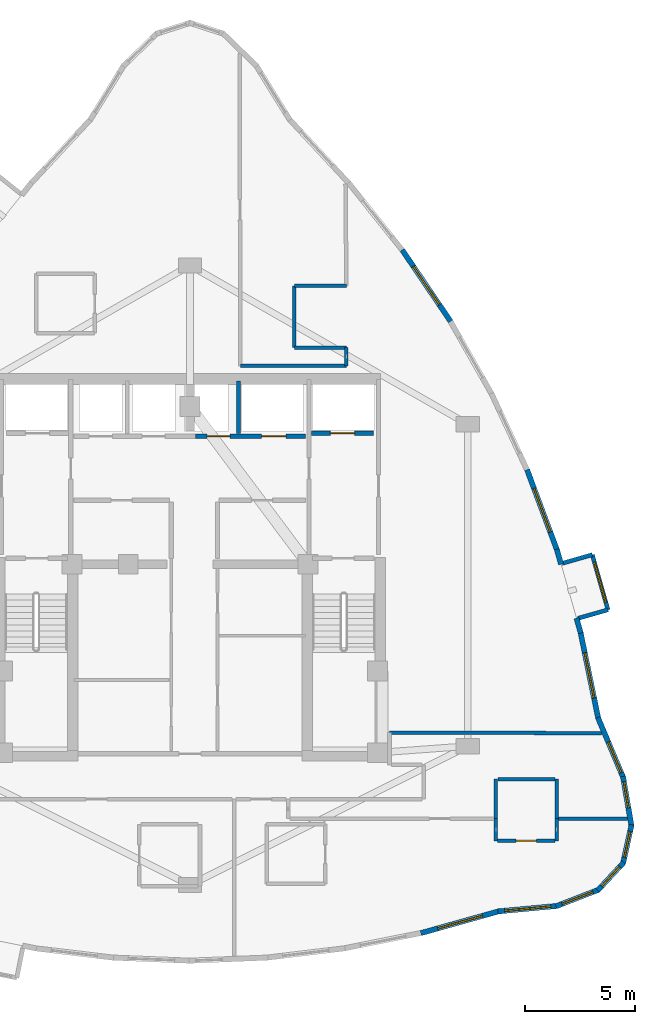
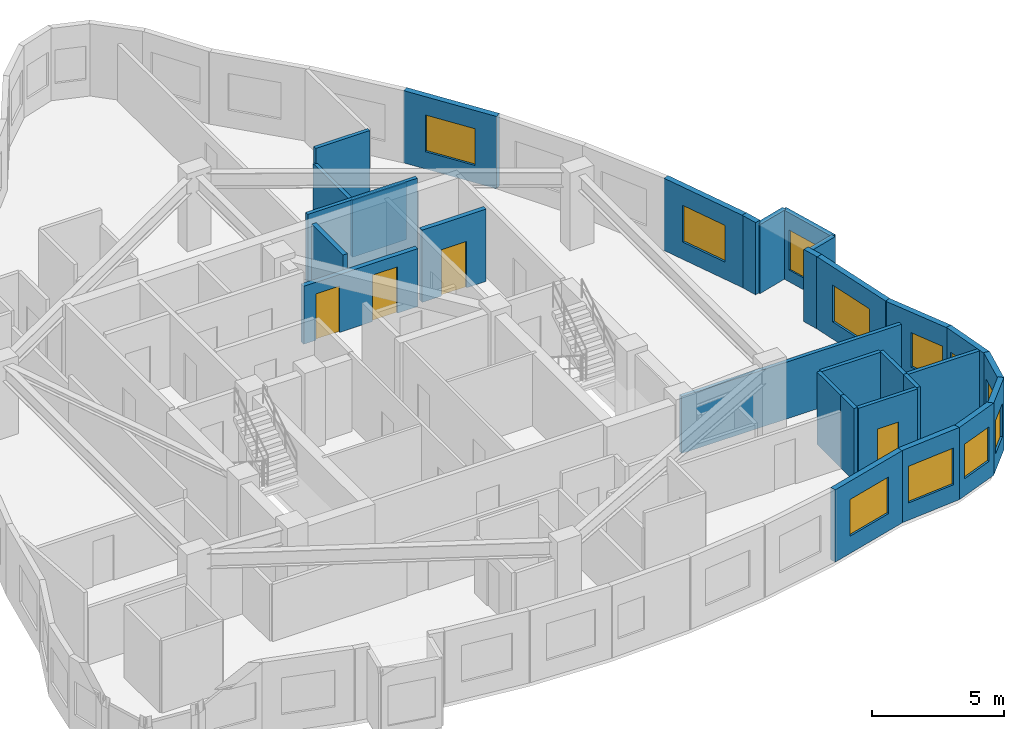
# One storey, part 10 of 12: 31 walls, 11 windows, 4 doors, 15 openings.
"""IFC4 building model written with IfcOpenShell, lengths in metres."""

from ifc_helpers import new_model, si_unit, direction, frame, frame_2d, origin, place, context, subcontext, project, spatial, rectangle, extrude, material, layer, layer_set, type_object, element, fill, save


model = new_model("IFC4")

# Units and contexts
model_context = context("Model", 3, precision=1e-05, world=origin(), true_north=direction((0.0, 1.0)))
body_context = subcontext(model_context, "Body", "Model", "MODEL_VIEW")
ifc_project = project(units=[si_unit("LENGTHUNIT", "METRE"), si_unit("AREAUNIT", "SQUARE_METRE"), si_unit("VOLUMEUNIT", "CUBIC_METRE"), si_unit("PLANEANGLEUNIT", "RADIAN"), si_unit("MASSUNIT", "GRAM", prefix="KILO")], contexts=[model_context])

# Site, building, storey
site_placement = place(None, origin())
site = spatial("IfcSite", under=ifc_project, at=site_placement, CompositionType="ELEMENT")
building_placement = place(site_placement, origin())
building = spatial("IfcBuilding", under=site, at=building_placement, Name="Miruveldt Soraemaru", CompositionType="ELEMENT")
storey_placement = place(building_placement, frame((0.0, 0.0, 219.60009765625)))
storey = spatial("IfcBuildingStorey", under=building, at=storey_placement, Name="L60", CompositionType="ELEMENT", Elevation=219.60009765625)

# Walls
ifc_material_1 = material(Name="White powder-coated aluminium EN AW-6060 T6", Category="aluminium")
ifc_layer_1 = layer(ifc_material_1, 0.18994140625, Name="White powder-coated aluminium EN AW-6060 T6", Category="aluminium")
ifc_layer_set_1 = layer_set([ifc_layer_1], Name="White powder-coated aluminium EN AW-6060 T6")
wall_type_1 = type_object("IfcWallType", Name="WALL-BAY-ALU190", PredefinedType="SOLIDWALL", material=ifc_layer_set_1)
for number, where, z_axis, x_axis, name in (
    (1, (61.593994140625, 41.59033203125, 0.0), (0.0, 0.0, 1.0), (0.961452801096, 0.274970018845, 0.0), "L60 Bay Window Side Cheek 2L"),
    (2, (62.249267578125, 44.48193359375, 0.0), (0.0, 0.0, 1.0), (-0.961452801096, -0.274970018845, 0.0), "L60 Bay Window Side Cheek 2R"),
):
    element("IfcWall", number, at=place(storey_placement, frame(where, z_axis=z_axis, x_axis=x_axis)), inside=storey, type_object=wall_type_1, Name=name, PredefinedType="SOLIDWALL", context=body_context, shape_type="SweptSolid", body=[
        extrude(rectangle(XDim=1.425048828125, YDim=0.18994140625, at=frame_2d((0.71240234375, 0.0))), origin(), (0.0, 0.0, 1.0), 3.19482421875),
    ])

# Wall, opening, window
wall_1_placement = place(storey_placement, frame((62.964111328125, 41.982177734375, 0.0), z_axis=(0.0, 0.0, 1.0), x_axis=(-0.274944358644, 0.961460139397, 0.0)))
wall_1 = element("IfcWall", 3, at=wall_1_placement, inside=storey, type_object=wall_type_1, Name="L60 Bay Window Front Frame 2", PredefinedType="SOLIDWALL", context=body_context, shape_type="SweptSolid", body=[
    extrude(rectangle(XDim=2.599853515625, YDim=0.18994140625, at=frame_2d((1.2998046875, 0.0))), origin(), (0.0, 0.0, 1.0), 3.19482421875),
])
opening_1_placement = place(wall_1_placement, frame((0.35009765625, 0.0, 0.550048828125)))
opening_1 = element("IfcOpeningElement", 4, at=opening_1_placement, cuts=wall_1, Name="Opening WN-6", PredefinedType="OPENING", context=body_context, shape_type="SweptSolid", body=[
    extrude(rectangle(XDim=1.89990234375, YDim=1.85009765625, at=frame_2d((0.949951171875, 0.925048828125))), frame((0.0, 0.10498046875, 0.0), z_axis=(0.0, -1.0, 0.0), x_axis=(1.0, 0.0, 0.0)), (0.0, 0.0, 1.0), 0.2099609375),
])
ifc_material_2 = material(Name="Triple low-e insulated glazing", Category="glass")
window_type_1 = type_object("IfcWindowType", Name="WIN-BAYW-1900x1850", PartitioningType="SINGLE_PANEL", PredefinedType="WINDOW", material=ifc_material_2)
window_1_placement = place(opening_1_placement, origin())
window_1 = element("IfcWindow", 5, at=window_1_placement, inside=storey, type_object=window_type_1, Name="L60 Projecting Bay Window 2", OverallHeight=1.85009765625, OverallWidth=1.89990234375, PartitioningType="SINGLE_PANEL", PredefinedType="WINDOW", context=body_context, shape_type="SweptSolid", body=[
    extrude(rectangle(XDim=1.89990234375, YDim=1.85009765625, at=frame_2d((0.949951171875, 0.925048828125))), frame((0.0, 0.030029296875, 0.0), z_axis=(0.0, -1.0, 0.0), x_axis=(1.0, 0.0, 0.0)), (0.0, 0.0, 1.0), 0.06005859375),
])
fill(opening_1, window_1)

ifc_material_3 = material(Name="Precast concrete C45/55 (45 MPa)", Category="concrete")
ifc_layer_2 = layer(ifc_material_3, 0.239990234375, Name="Precast concrete C45/55 (45 MPa)", Category="concrete")
ifc_layer_set_2 = layer_set([ifc_layer_2], Name="Precast concrete C45/55 (45 MPa)")
wall_type_2 = type_object("IfcWallType", Name="WALL-EXT-PC240", PredefinedType="SOLIDWALL", material=ifc_layer_set_2)
wall_2_placement = place(storey_placement, frame((54.46728515625, 27.314453125, 0.0), z_axis=(0.0, 0.0, 1.0), x_axis=(0.962962651001, 0.269634813733, 0.0)))
wall_2 = element("IfcWall", 6, at=wall_2_placement, inside=storey, type_object=wall_type_2, Name="L60 Precast Concrete Facade Wall 28", PredefinedType="SOLIDWALL", context=body_context, shape_type="SweptSolid", body=[
    extrude(rectangle(XDim=3.705078125, YDim=0.239990234375, at=frame_2d((1.8525390625, 0.0))), origin(), (0.0, 0.0, 1.0), 3.344970703125),
])
opening_2_placement = place(wall_2_placement, frame((0.802001953125, 0.0, 0.800048828125)))
opening_2 = element("IfcOpeningElement", 7, at=opening_2_placement, cuts=wall_2, Name="Opening WN-1", PredefinedType="OPENING", context=body_context, shape_type="SweptSolid", body=[
    extrude(rectangle(XDim=2.10009765625, YDim=1.699951171875, at=frame_2d((1.050048828125, 0.85009765625))), frame((0.0, 0.1298828125, 0.0), z_axis=(0.0, -1.0, 0.0), x_axis=(1.0, 0.0, 0.0)), (0.0, 0.0, 1.0), 0.260009765625),
])
window_type_2 = type_object("IfcWindowType", Name="WIN-PUNCH-2100x1700", PartitioningType="SINGLE_PANEL", PredefinedType="WINDOW", material=ifc_material_2)
window_2_placement = place(opening_2_placement, origin())
window_2 = element("IfcWindow", 8, at=window_2_placement, inside=storey, type_object=window_type_2, Name="L60 Punched Triple-Glazed Window 28.1", OverallHeight=1.699951171875, OverallWidth=2.10009765625, PartitioningType="SINGLE_PANEL", PredefinedType="WINDOW", context=body_context, shape_type="SweptSolid", body=[
    extrude(rectangle(XDim=2.10009765625, YDim=1.699951171875, at=frame_2d((1.050048828125, 0.85009765625))), frame((0.0, 0.030029296875, 0.0), z_axis=(0.0, -1.0, 0.0), x_axis=(1.0, 0.0, 0.0)), (0.0, 0.0, 1.0), 0.06005859375),
])
fill(opening_2, window_2)

wall_3_placement = place(storey_placement, frame((57.966552734375, 28.30078125, 0.0), z_axis=(0.0, 0.0, 1.0), x_axis=(0.995764020847, 0.09194571652, 0.0)))
wall_3 = element("IfcWall", 9, at=wall_3_placement, inside=storey, type_object=wall_type_2, Name="L60 Precast Concrete Facade Wall 29", PredefinedType="SOLIDWALL", context=body_context, shape_type="SweptSolid", body=[
    extrude(rectangle(XDim=2.71630859375, YDim=0.239990234375, at=frame_2d((1.358154296875, 0.0))), origin(), (0.0, 0.0, 1.0), 3.344970703125),
])
opening_3_placement = place(wall_3_placement, frame((0.30810546875, 0.0, 0.800048828125)))
opening_3 = element("IfcOpeningElement", 10, at=opening_3_placement, cuts=wall_3, Name="Opening WN-1", PredefinedType="OPENING", context=body_context, shape_type="SweptSolid", body=[
    extrude(rectangle(XDim=2.10009765625, YDim=1.699951171875, at=frame_2d((1.050048828125, 0.85009765625))), frame((0.0, 0.1298828125, 0.0), z_axis=(0.0, -1.0, 0.0), x_axis=(1.0, 0.0, 0.0)), (0.0, 0.0, 1.0), 0.260009765625),
])
window_3_placement = place(opening_3_placement, origin())
window_3 = element("IfcWindow", 11, at=window_3_placement, inside=storey, type_object=window_type_2, Name="L60 Punched Triple-Glazed Window 29.1", OverallHeight=1.699951171875, OverallWidth=2.10009765625, PartitioningType="SINGLE_PANEL", PredefinedType="WINDOW", context=body_context, shape_type="SweptSolid", body=[
    extrude(rectangle(XDim=2.10009765625, YDim=1.699951171875, at=frame_2d((1.050048828125, 0.85009765625))), frame((0.0, 0.030029296875, 0.0), z_axis=(0.0, -1.0, 0.0), x_axis=(1.0, 0.0, 0.0)), (0.0, 0.0, 1.0), 0.06005859375),
])
fill(opening_3, window_3)

wall_4_placement = place(storey_placement, frame((60.60400390625, 28.53466796875, 0.0), z_axis=(0.0, 0.0, 1.0), x_axis=(0.932287324151, 0.361718599504, 0.0)))
wall_4 = element("IfcWall", 12, at=wall_4_placement, inside=storey, type_object=wall_type_2, Name="L60 Precast Concrete Facade Wall 30", PredefinedType="SOLIDWALL", context=body_context, shape_type="SweptSolid", body=[
    extrude(rectangle(XDim=2.0888671875, YDim=0.239990234375, at=frame_2d((1.04443359375, 0.0))), origin(), (0.0, 0.0, 1.0), 3.344970703125),
])
opening_4_placement = place(wall_4_placement, frame((0.2939453125, 0.0, 0.800048828125)))
opening_4 = element("IfcOpeningElement", 13, at=opening_4_placement, cuts=wall_4, Name="Opening WN-3", PredefinedType="OPENING", context=body_context, shape_type="SweptSolid", body=[
    extrude(rectangle(XDim=1.5, YDim=1.60009765625, at=frame_2d((0.75, 0.800048828125))), frame((0.0, 0.1298828125, 0.0), z_axis=(0.0, -1.0, 0.0), x_axis=(1.0, 0.0, 0.0)), (0.0, 0.0, 1.0), 0.260009765625),
])
window_type_3 = type_object("IfcWindowType", Name="WIN-PUNCH-1500x1600", PartitioningType="SINGLE_PANEL", PredefinedType="WINDOW", material=ifc_material_2)
window_4_placement = place(opening_4_placement, origin())
window_4 = element("IfcWindow", 14, at=window_4_placement, inside=storey, type_object=window_type_3, Name="L60 Punched Triple-Glazed Window 30.1", OverallHeight=1.60009765625, OverallWidth=1.5, PartitioningType="SINGLE_PANEL", PredefinedType="WINDOW", context=body_context, shape_type="SweptSolid", body=[
    extrude(rectangle(XDim=1.5, YDim=1.60009765625, at=frame_2d((0.75, 0.800048828125))), frame((0.0, 0.030029296875, 0.0), z_axis=(0.0, -1.0, 0.0), x_axis=(1.0, 0.0, 0.0)), (0.0, 0.0, 1.0), 0.06005859375),
])
fill(opening_4, window_4)

wall_5_placement = place(storey_placement, frame((62.4951171875, 29.251953125, 0.0), z_axis=(0.0, 0.0, 1.0), x_axis=(0.680158830512, 0.733064775635, 0.0)))
wall_5 = element("IfcWall", 15, at=wall_5_placement, inside=storey, type_object=wall_type_2, Name="L60 Precast Concrete Facade Wall 31", PredefinedType="SOLIDWALL", context=body_context, shape_type="SweptSolid", body=[
    extrude(rectangle(XDim=1.73046875, YDim=0.239990234375, at=frame_2d((0.865234375, 0.0))), origin(), (0.0, 0.0, 1.0), 3.344970703125),
])
opening_5_placement = place(wall_5_placement, frame((0.264892578125, 0.0, 0.780029296875)))
opening_5 = element("IfcOpeningElement", 16, at=opening_5_placement, cuts=wall_5, Name="Opening WN-4", PredefinedType="OPENING", context=body_context, shape_type="SweptSolid", body=[
    extrude(rectangle(XDim=1.199951171875, YDim=1.550048828125, at=frame_2d((0.60009765625, 0.77490234375))), frame((0.0, 0.1298828125, 0.0), z_axis=(0.0, -1.0, 0.0), x_axis=(1.0, 0.0, 0.0)), (0.0, 0.0, 1.0), 0.260009765625),
])
window_type_4 = type_object("IfcWindowType", Name="WIN-PUNCH-1200x1550", PartitioningType="SINGLE_PANEL", PredefinedType="WINDOW", material=ifc_material_2)
window_5_placement = place(opening_5_placement, origin())
window_5 = element("IfcWindow", 17, at=window_5_placement, inside=storey, type_object=window_type_4, Name="L60 Punched Triple-Glazed Window 31.1", OverallHeight=1.550048828125, OverallWidth=1.199951171875, PartitioningType="SINGLE_PANEL", PredefinedType="WINDOW", context=body_context, shape_type="SweptSolid", body=[
    extrude(rectangle(XDim=1.199951171875, YDim=1.550048828125, at=frame_2d((0.60009765625, 0.77490234375))), frame((0.0, 0.030029296875, 0.0), z_axis=(0.0, -1.0, 0.0), x_axis=(1.0, 0.0, 0.0)), (0.0, 0.0, 1.0), 0.06005859375),
])
fill(opening_5, window_5)

wall_6_placement = place(storey_placement, frame((63.640625, 30.460693359375, 0.0), z_axis=(0.0, 0.0, 1.0), x_axis=(0.215762394051, 0.976445896767, 0.0)))
wall_6 = element("IfcWall", 18, at=wall_6_placement, inside=storey, type_object=wall_type_2, Name="L60 Precast Concrete Facade Wall 32", PredefinedType="SOLIDWALL", context=body_context, shape_type="SweptSolid", body=[
    extrude(rectangle(XDim=1.81494140625, YDim=0.239990234375, at=frame_2d((0.907470703125, 0.0))), origin(), (0.0, 0.0, 1.0), 3.344970703125),
])
opening_6_placement = place(wall_6_placement, frame((0.300048828125, 0.0, 0.780029296875)))
opening_6 = element("IfcOpeningElement", 19, at=opening_6_placement, cuts=wall_6, Name="Opening WN-4", PredefinedType="OPENING", context=body_context, shape_type="SweptSolid", body=[
    extrude(rectangle(XDim=1.199951171875, YDim=1.550048828125, at=frame_2d((0.60009765625, 0.77490234375))), frame((0.0, 0.1298828125, 0.0), z_axis=(0.0, -1.0, 0.0), x_axis=(1.0, 0.0, 0.0)), (0.0, 0.0, 1.0), 0.260009765625),
])
window_6_placement = place(opening_6_placement, origin())
window_6 = element("IfcWindow", 20, at=window_6_placement, inside=storey, type_object=window_type_4, Name="L60 Punched Triple-Glazed Window 32.1", OverallHeight=1.550048828125, OverallWidth=1.199951171875, PartitioningType="SINGLE_PANEL", PredefinedType="WINDOW", context=body_context, shape_type="SweptSolid", body=[
    extrude(rectangle(XDim=1.199951171875, YDim=1.550048828125, at=frame_2d((0.60009765625, 0.77490234375))), frame((0.0, 0.030029296875, 0.0), z_axis=(0.0, -1.0, 0.0), x_axis=(1.0, 0.0, 0.0)), (0.0, 0.0, 1.0), 0.06005859375),
])
fill(opening_6, window_6)

wall_7_placement = place(storey_placement, frame((64.030517578125, 32.164306640625, 0.0), z_axis=(0.0, 0.0, 1.0), x_axis=(-0.169300719574, 0.985564440487, 0.0)))
wall_7 = element("IfcWall", 21, at=wall_7_placement, inside=storey, type_object=wall_type_2, Name="L60 Precast Concrete Facade Wall 33", PredefinedType="SOLIDWALL", context=body_context, shape_type="SweptSolid", body=[
    extrude(rectangle(XDim=2.29296875, YDim=0.239990234375, at=frame_2d((1.146484375, 0.0))), origin(), (0.0, 0.0, 1.0), 3.344970703125),
])
opening_7_placement = place(wall_7_placement, frame((0.85205078125, 0.0, 0.780029296875)))
opening_7 = element("IfcOpeningElement", 22, at=opening_7_placement, cuts=wall_7, Name="Opening WN-4", PredefinedType="OPENING", context=body_context, shape_type="SweptSolid", body=[
    extrude(rectangle(XDim=1.199951171875, YDim=1.550048828125, at=frame_2d((0.60009765625, 0.77490234375))), frame((0.0, 0.1298828125, 0.0), z_axis=(0.0, -1.0, 0.0), x_axis=(1.0, 0.0, 0.0)), (0.0, 0.0, 1.0), 0.260009765625),
])
window_7_placement = place(opening_7_placement, origin())
window_7 = element("IfcWindow", 23, at=window_7_placement, inside=storey, type_object=window_type_4, Name="L60 Punched Triple-Glazed Window 33.1", OverallHeight=1.550048828125, OverallWidth=1.199951171875, PartitioningType="SINGLE_PANEL", PredefinedType="WINDOW", context=body_context, shape_type="SweptSolid", body=[
    extrude(rectangle(XDim=1.199951171875, YDim=1.550048828125, at=frame_2d((0.60009765625, 0.77490234375))), frame((0.0, 0.030029296875, 0.0), z_axis=(0.0, -1.0, 0.0), x_axis=(1.0, 0.0, 0.0)), (0.0, 0.0, 1.0), 0.06005859375),
])
fill(opening_7, window_7)

wall_8_placement = place(storey_placement, frame((63.661865234375, 34.357421875, 0.0), z_axis=(0.0, 0.0, 1.0), x_axis=(-0.388596043181, 0.921408223983, 0.0)))
wall_8 = element("IfcWall", 24, at=wall_8_placement, inside=storey, type_object=wall_type_2, Name="L60 Precast Concrete Facade Wall 34", PredefinedType="SOLIDWALL", context=body_context, shape_type="SweptSolid", body=[
    extrude(rectangle(XDim=2.97607421875, YDim=0.239990234375, at=frame_2d((1.488037109375, 0.0))), origin(), (0.0, 0.0, 1.0), 3.344970703125),
])
opening_8_placement = place(wall_8_placement, frame((0.260986328125, 0.0, 0.800048828125)))
opening_8 = element("IfcOpeningElement", 25, at=opening_8_placement, cuts=wall_8, Name="Opening WN-3", PredefinedType="OPENING", context=body_context, shape_type="SweptSolid", body=[
    extrude(rectangle(XDim=1.5, YDim=1.60009765625, at=frame_2d((0.75, 0.800048828125))), frame((0.0, 0.1298828125, 0.0), z_axis=(0.0, -1.0, 0.0), x_axis=(1.0, 0.0, 0.0)), (0.0, 0.0, 1.0), 0.260009765625),
])
window_8_placement = place(opening_8_placement, origin())
window_8 = element("IfcWindow", 26, at=window_8_placement, inside=storey, type_object=window_type_3, Name="L60 Punched Triple-Glazed Window 34.1", OverallHeight=1.60009765625, OverallWidth=1.5, PartitioningType="SINGLE_PANEL", PredefinedType="WINDOW", context=body_context, shape_type="SweptSolid", body=[
    extrude(rectangle(XDim=1.5, YDim=1.60009765625, at=frame_2d((0.75, 0.800048828125))), frame((0.0, 0.030029296875, 0.0), z_axis=(0.0, -1.0, 0.0), x_axis=(1.0, 0.0, 0.0)), (0.0, 0.0, 1.0), 0.06005859375),
])
fill(opening_8, window_8)

wall_9_placement = place(storey_placement, frame((62.52587890625, 37.032958984375, 0.0), z_axis=(0.0, 0.0, 1.0), x_axis=(-0.201579541159, 0.979472147938, 0.0)))
wall_9 = element("IfcWall", 27, at=wall_9_placement, inside=storey, type_object=wall_type_2, Name="L60 Precast Concrete Facade Wall 35", PredefinedType="SOLIDWALL", context=body_context, shape_type="SweptSolid", body=[
    extrude(rectangle(XDim=4.03662109375, YDim=0.239990234375, at=frame_2d((2.018310546875, 0.0))), origin(), (0.0, 0.0, 1.0), 3.344970703125),
])
opening_9_placement = place(wall_9_placement, frame((0.968017578125, 0.0, 0.800048828125)))
opening_9 = element("IfcOpeningElement", 28, at=opening_9_placement, cuts=wall_9, Name="Opening WN-1", PredefinedType="OPENING", context=body_context, shape_type="SweptSolid", body=[
    extrude(rectangle(XDim=2.10009765625, YDim=1.699951171875, at=frame_2d((1.050048828125, 0.85009765625))), frame((0.0, 0.1298828125, 0.0), z_axis=(0.0, -1.0, 0.0), x_axis=(1.0, 0.0, 0.0)), (0.0, 0.0, 1.0), 0.260009765625),
])
window_9_placement = place(opening_9_placement, origin())
window_9 = element("IfcWindow", 29, at=window_9_placement, inside=storey, type_object=window_type_2, Name="L60 Punched Triple-Glazed Window 35.1", OverallHeight=1.699951171875, OverallWidth=2.10009765625, PartitioningType="SINGLE_PANEL", PredefinedType="WINDOW", context=body_context, shape_type="SweptSolid", body=[
    extrude(rectangle(XDim=2.10009765625, YDim=1.699951171875, at=frame_2d((1.050048828125, 0.85009765625))), frame((0.0, 0.030029296875, 0.0), z_axis=(0.0, -1.0, 0.0), x_axis=(1.0, 0.0, 0.0)), (0.0, 0.0, 1.0), 0.06005859375),
])
fill(opening_9, window_9)

# Walls
wall_10_placement = place(storey_placement, frame((61.72900390625, 40.918701171875, 0.0), z_axis=(0.0, 0.0, 1.0), x_axis=(-0.275037775773, 0.961433420418, 0.0)))
element("IfcWall", 30, at=wall_10_placement, inside=storey, type_object=wall_type_2, Name="L60 Precast Pier Wall 36A", PredefinedType="SOLIDWALL", context=body_context, shape_type="SweptSolid", body=[
    extrude(rectangle(XDim=0.712890625, YDim=0.239990234375, at=frame_2d((0.3564453125, 0.0))), origin(), (0.0, 0.0, 1.0), 3.344970703125),
])
wall_11_placement = place(storey_placement, frame((60.83447265625, 44.046142578125, 0.0), z_axis=(0.0, 0.0, 1.0), x_axis=(-0.274721127897, 0.961523947641, 0.0)))
element("IfcWall", 31, at=wall_11_placement, inside=storey, type_object=wall_type_2, Name="L60 Precast Pier Wall 36B", PredefinedType="SOLIDWALL", context=body_context, shape_type="SweptSolid", body=[
    extrude(rectangle(XDim=0.712646484375, YDim=0.239990234375, at=frame_2d((0.3564453125, 0.0))), origin(), (0.0, 0.0, 1.0), 3.344970703125),
])

# Wall, opening, window
wall_12_placement = place(storey_placement, frame((60.660400390625, 44.664794921875, 0.0), z_axis=(0.0, 0.0, 1.0), x_axis=(-0.34901887995, 0.937115692665, 0.0)))
wall_12 = element("IfcWall", 32, at=wall_12_placement, inside=storey, type_object=wall_type_2, Name="L60 Precast Concrete Facade Wall 37", PredefinedType="SOLIDWALL", context=body_context, shape_type="SweptSolid", body=[
    extrude(rectangle(XDim=3.917236328125, YDim=0.239990234375, at=frame_2d((1.95849609375, 0.0))), origin(), (0.0, 0.0, 1.0), 3.344970703125),
])
opening_10_placement = place(wall_12_placement, frame((0.908935546875, 0.0, 0.800048828125)))
opening_10 = element("IfcOpeningElement", 33, at=opening_10_placement, cuts=wall_12, Name="Opening WN-1", PredefinedType="OPENING", context=body_context, shape_type="SweptSolid", body=[
    extrude(rectangle(XDim=2.10009765625, YDim=1.699951171875, at=frame_2d((1.050048828125, 0.85009765625))), frame((0.0, 0.1298828125, 0.0), z_axis=(0.0, -1.0, 0.0), x_axis=(1.0, 0.0, 0.0)), (0.0, 0.0, 1.0), 0.260009765625),
])
window_10_placement = place(opening_10_placement, origin())
window_10 = element("IfcWindow", 34, at=window_10_placement, inside=storey, type_object=window_type_2, Name="L60 Punched Triple-Glazed Window 37.1", OverallHeight=1.699951171875, OverallWidth=2.10009765625, PartitioningType="SINGLE_PANEL", PredefinedType="WINDOW", context=body_context, shape_type="SweptSolid", body=[
    extrude(rectangle(XDim=2.10009765625, YDim=1.699951171875, at=frame_2d((1.050048828125, 0.85009765625))), frame((0.0, 0.030029296875, 0.0), z_axis=(0.0, -1.0, 0.0), x_axis=(1.0, 0.0, 0.0)), (0.0, 0.0, 1.0), 0.06005859375),
])
fill(opening_10, window_10)

wall_13_placement = place(storey_placement, frame((55.82470703125, 55.064208984375, 0.0), z_axis=(0.0, 0.0, 1.0), x_axis=(-0.560812313673, 0.827942962306, 0.0)))
wall_13 = element("IfcWall", 35, at=wall_13_placement, inside=storey, type_object=wall_type_2, Name="L60 Precast Concrete Facade Wall 40", PredefinedType="SOLIDWALL", context=body_context, shape_type="SweptSolid", body=[
    extrude(rectangle(XDim=3.917236328125, YDim=0.239990234375, at=frame_2d((1.95849609375, 0.0))), origin(), (0.0, 0.0, 1.0), 3.344970703125),
])
opening_11_placement = place(wall_13_placement, frame((0.908935546875, 0.0, 0.800048828125)))
opening_11 = element("IfcOpeningElement", 36, at=opening_11_placement, cuts=wall_13, Name="Opening WN-1", PredefinedType="OPENING", context=body_context, shape_type="SweptSolid", body=[
    extrude(rectangle(XDim=2.10009765625, YDim=1.699951171875, at=frame_2d((1.050048828125, 0.85009765625))), frame((0.0, 0.1298828125, 0.0), z_axis=(0.0, -1.0, 0.0), x_axis=(1.0, 0.0, 0.0)), (0.0, 0.0, 1.0), 0.260009765625),
])
window_11_placement = place(opening_11_placement, origin())
window_11 = element("IfcWindow", 37, at=window_11_placement, inside=storey, type_object=window_type_2, Name="L60 Punched Triple-Glazed Window 40.1", OverallHeight=1.699951171875, OverallWidth=2.10009765625, PartitioningType="SINGLE_PANEL", PredefinedType="WINDOW", context=body_context, shape_type="SweptSolid", body=[
    extrude(rectangle(XDim=2.10009765625, YDim=1.699951171875, at=frame_2d((1.050048828125, 0.85009765625))), frame((0.0, 0.030029296875, 0.0), z_axis=(0.0, -1.0, 0.0), x_axis=(1.0, 0.0, 0.0)), (0.0, 0.0, 1.0), 0.06005859375),
])
fill(opening_11, window_11)

# Wall, opening, door
ifc_material_4 = material(Name="Concrete C40/50 (40 MPa)", Category="concrete")
ifc_layer_3 = layer(ifc_material_4, 0.159912109375, Name="Concrete C40/50 (40 MPa)", Category="concrete")
ifc_layer_set_3 = layer_set([ifc_layer_3], Name="Concrete C40/50 (40 MPa)")
wall_type_3 = type_object("IfcWallType", Name="WALL-INT-RC160", PredefinedType="SOLIDWALL", material=ifc_layer_set_3)
wall_14_placement = place(storey_placement, frame((57.9599609375, 31.506103515625, 0.0), z_axis=(0.0, 0.0, 1.0), x_axis=(1.0, 0.0, 0.0)))
wall_14 = element("IfcWall", 38, at=wall_14_placement, inside=storey, type_object=wall_type_3, Name="L60 Partition Wall 37", PredefinedType="SOLIDWALL", context=body_context, shape_type="SweptSolid", body=[
    extrude(rectangle(XDim=2.590087890625, YDim=0.159912109375, at=frame_2d((1.294921875, 0.0))), origin(), (0.0, 0.0, 1.0), 3.344970703125),
])
opening_12_placement = place(wall_14_placement, frame((0.8349609375, 0.0, 0.0)))
opening_12 = element("IfcOpeningElement", 39, at=opening_12_placement, cuts=wall_14, Name="Opening D3A", PredefinedType="OPENING", context=body_context, shape_type="SweptSolid", body=[
    extrude(rectangle(XDim=0.919921875, YDim=2.10009765625, at=frame_2d((0.4599609375, 1.050048828125))), frame((0.0, 0.08984375, 0.0), z_axis=(0.0, -1.0, 0.0), x_axis=(1.0, 0.0, 0.0)), (0.0, 0.0, 1.0), 0.179931640625),
])
ifc_material_5 = material(Name="Anodised aluminium EN AW-6063 T6", Category="aluminium")
door_type_1 = type_object("IfcDoorType", Name="DOOR-INT-920", OperationType="NOTDEFINED", PredefinedType="DOOR", material=ifc_material_5)
door_1_placement = place(opening_12_placement, origin())
door_1 = element("IfcDoor", 40, at=door_1_placement, inside=storey, type_object=door_type_1, Name="L60 Unit 6003 KIT Door", OperationType="SINGLE_SWING_LEFT", OverallHeight=2.10009765625, OverallWidth=0.919921875, PredefinedType="DOOR", context=body_context, shape_type="SweptSolid", body=[
    extrude(rectangle(XDim=0.919921875, YDim=2.10009765625, at=frame_2d((0.4599609375, 1.050048828125))), frame((0.0, 0.02490234375, 0.0), z_axis=(0.0, -1.0, 0.0), x_axis=(1.0, 0.0, 0.0)), (0.0, 0.0, 1.0), 0.050048828125),
])
fill(opening_12, door_1)

# Walls
wall_15_placement = place(storey_placement, frame((53.050048828125, 36.409912109375, 0.0), z_axis=(0.0, 0.0, 1.0), x_axis=(0.999997612742, -0.002185065163, 0.0)))
element("IfcWall", 41, at=wall_15_placement, inside=storey, type_object=wall_type_3, Name="L60 Partition Wall 52", PredefinedType="SOLIDWALL", context=body_context, shape_type="SweptSolid", body=[
    extrude(rectangle(XDim=9.60888671875, YDim=0.159912109375, at=frame_2d((4.804443359375, 0.0))), origin(), (0.0, 0.0, 1.0), 2.6328125),
])
wall_16_placement = place(storey_placement, frame((51.093994140625, 53.050048828125, 0.0), z_axis=(0.0, 0.0, 1.0), x_axis=(-1.0, 0.0, 0.0)))
element("IfcWall", 42, at=wall_16_placement, inside=storey, type_object=wall_type_3, Name="L60 Partition Wall 49", PredefinedType="SOLIDWALL", context=body_context, shape_type="SweptSolid", body=[
    extrude(rectangle(XDim=4.806884765625, YDim=0.159912109375, at=frame_2d((2.4033203125, 0.0))), origin(), (0.0, 0.0, 1.0), 3.344970703125),
])
wall_17_placement = place(storey_placement, frame((63.8349609375, 32.507080078125, 0.0), z_axis=(0.0, 0.0, 1.0), x_axis=(-0.99999582217, 0.002890612923, 0.0)))
element("IfcWall", 43, at=wall_17_placement, inside=storey, type_object=wall_type_3, Name="L60 Partition Wall 38", PredefinedType="SOLIDWALL", context=body_context, shape_type="SweptSolid", body=[
    extrude(rectangle(XDim=3.125, YDim=0.159912109375, at=frame_2d((1.5625, 0.0))), origin(), (0.0, 0.0, 1.0), 3.344970703125),
])
wall_18_placement = place(storey_placement, frame((48.72998046875, 56.679931640625, 0.0), z_axis=(0.0, 0.0, 1.0), x_axis=(0.0, -1.0, 0.0)))
element("IfcWall", 44, at=wall_18_placement, inside=storey, type_object=wall_type_3, Name="L60 Partition Wall 46", PredefinedType="SOLIDWALL", context=body_context, shape_type="SweptSolid", body=[
    extrude(rectangle(XDim=2.800048828125, YDim=0.159912109375, at=frame_2d((1.39990234375, 0.0))), origin(), (0.0, 0.0, 1.0), 2.6328125),
])
wall_19_placement = place(storey_placement, frame((60.550048828125, 34.305908203125, 0.0), z_axis=(0.0, 0.0, 1.0), x_axis=(-1.0, 0.0, 0.0)))
element("IfcWall", 45, at=wall_19_placement, inside=storey, type_object=wall_type_3, Name="L60 Partition Wall 42", PredefinedType="SOLIDWALL", context=body_context, shape_type="SweptSolid", body=[
    extrude(rectangle(XDim=2.590087890625, YDim=0.159912109375, at=frame_2d((1.294921875, 0.0))), origin(), (0.0, 0.0, 1.0), 3.344970703125),
])
wall_20_placement = place(storey_placement, frame((51.093994140625, 56.679931640625, 0.0), z_axis=(0.0, 0.0, 1.0), x_axis=(-1.0, 0.0, 0.0)))
element("IfcWall", 46, at=wall_20_placement, inside=storey, type_object=wall_type_3, Name="L60 Partition Wall 45", PredefinedType="SOLIDWALL", context=body_context, shape_type="SweptSolid", body=[
    extrude(rectangle(XDim=2.364013671875, YDim=0.159912109375, at=frame_2d((1.18212890625, 0.0))), origin(), (0.0, 0.0, 1.0), 3.344970703125),
])
wall_21_placement = place(storey_placement, frame((48.72998046875, 53.8798828125, 0.0), z_axis=(0.0, 0.0, 1.0), x_axis=(1.0, 0.0, 0.0)))
element("IfcWall", 47, at=wall_21_placement, inside=storey, type_object=wall_type_3, Name="L60 Partition Wall 47", PredefinedType="SOLIDWALL", context=body_context, shape_type="SweptSolid", body=[
    extrude(rectangle(XDim=2.364013671875, YDim=0.159912109375, at=frame_2d((1.18212890625, 0.0))), origin(), (0.0, 0.0, 1.0), 2.6328125),
])
for number, where, z_axis, x_axis, name in (
    (48, (60.6298828125, 32.51611328125, 0.0), (0.0, 0.0, 1.0), (0.0, 1.0, 0.0), "L60 Partition Wall 41"),
    (49, (57.8798828125, 34.305908203125, 0.0), (0.0, 0.0, 1.0), (0.0, -1.0, 0.0), "L60 Partition Wall 43"),
):
    element("IfcWall", number, at=place(storey_placement, frame(where, z_axis=z_axis, x_axis=x_axis)), inside=storey, type_object=wall_type_3, Name=name, PredefinedType="SOLIDWALL", context=body_context, shape_type="SweptSolid", body=[
        extrude(rectangle(XDim=1.789794921875, YDim=0.159912109375, at=frame_2d((0.89501953125, 0.0))), origin(), (0.0, 0.0, 1.0), 3.344970703125),
    ])
for number, where, z_axis, x_axis, name in (
    (50, (60.6298828125, 31.506103515625, 0.0), (0.0, 0.0, 1.0), (0.0, 1.0, 0.0), "L60 Partition Wall 35"),
    (51, (57.8798828125, 32.51611328125, 0.0), (0.0, 0.0, 1.0), (0.0, -1.0, 0.0), "L60 Partition Wall 36"),
):
    element("IfcWall", number, at=place(storey_placement, frame(where, z_axis=z_axis, x_axis=x_axis)), inside=storey, type_object=wall_type_3, Name=name, PredefinedType="SOLIDWALL", context=body_context, shape_type="SweptSolid", body=[
        extrude(rectangle(XDim=1.010009765625, YDim=0.159912109375, at=frame_2d((0.5048828125, 0.0))), origin(), (0.0, 0.0, 1.0), 3.344970703125),
    ])
wall_22_placement = place(storey_placement, frame((51.093994140625, 53.8798828125, 0.0), z_axis=(0.0, 0.0, 1.0), x_axis=(0.0, -1.0, 0.0)))
element("IfcWall", 52, at=wall_22_placement, inside=storey, type_object=wall_type_3, Name="L60 Partition Wall 48", PredefinedType="SOLIDWALL", context=body_context, shape_type="SweptSolid", body=[
    extrude(rectangle(XDim=0.829833984375, YDim=0.159912109375, at=frame_2d((0.4150390625, 0.0))), origin(), (0.0, 0.0, 1.0), 2.6328125),
])

# Wall, openings, doors
ifc_layer_4 = layer(ifc_material_4, 0.199951171875, Name="Concrete C40/50 (40 MPa)", Category="concrete")
ifc_layer_set_4 = layer_set([ifc_layer_4], Name="Concrete C40/50 (40 MPa)")
wall_type_4 = type_object("IfcWallType", Name="WALL-INT-RC200", PredefinedType="SOLIDWALL", material=ifc_layer_set_4)
wall_23_placement = place(storey_placement, frame((44.25, 49.85009765625, 0.0), z_axis=(0.0, 0.0, 1.0), x_axis=(1.0, 0.0, 0.0)))
wall_23 = element("IfcWall", 53, at=wall_23_placement, inside=storey, type_object=wall_type_4, Name="L60 Core Compartment Wall ROWA-SE", PredefinedType="SOLIDWALL", context=body_context, shape_type="SweptSolid", body=[
    extrude(rectangle(XDim=5.0, YDim=0.199951171875, at=frame_2d((2.5, 0.0))), origin(), (0.0, 0.0, 1.0), 2.682861328125),
])
opening_13_placement = place(wall_23_placement, frame((0.52490234375, 0.0, 0.0)))
opening_13 = element("IfcOpeningElement", 54, at=opening_13_placement, cuts=wall_23, Name="Opening LD1", PredefinedType="OPENING", context=body_context, shape_type="SweptSolid", body=[
    extrude(rectangle(XDim=1.050048828125, YDim=2.14990234375, at=frame_2d((0.52490234375, 1.074951171875))), frame((0.0, 0.10986328125, 0.0), z_axis=(0.0, -1.0, 0.0), x_axis=(1.0, 0.0, 0.0)), (0.0, 0.0, 1.0), 0.219970703125),
])
opening_14_placement = place(wall_23_placement, frame((3.0, 0.0, 0.0)))
opening_14 = element("IfcOpeningElement", 55, at=opening_14_placement, cuts=wall_23, Name="Opening LD2", PredefinedType="OPENING", context=body_context, shape_type="SweptSolid", body=[
    extrude(rectangle(XDim=1.10009765625, YDim=2.14990234375, at=frame_2d((0.550048828125, 1.074951171875))), frame((0.0, 0.10986328125, 0.0), z_axis=(0.0, -1.0, 0.0), x_axis=(1.0, 0.0, 0.0)), (0.0, 0.0, 1.0), 0.219970703125),
])
door_type_2 = type_object("IfcDoorType", Name="DOOR-LD1-1050", OperationType="SLIDING_TO_LEFT", PredefinedType="DOOR", material=ifc_material_5)
door_2_placement = place(opening_13_placement, origin())
door_2 = element("IfcDoor", 56, at=door_2_placement, inside=storey, type_object=door_type_2, Name="L60 PL-H3 Landing Door", OperationType="SLIDING_TO_LEFT", OverallHeight=2.14990234375, OverallWidth=1.050048828125, PredefinedType="DOOR", context=body_context, shape_type="SweptSolid", body=[
    extrude(rectangle(XDim=1.050048828125, YDim=2.14990234375, at=frame_2d((0.52490234375, 1.074951171875))), frame((0.0, 0.02490234375, 0.0), z_axis=(0.0, -1.0, 0.0), x_axis=(1.0, 0.0, 0.0)), (0.0, 0.0, 1.0), 0.050048828125),
])
fill(opening_13, door_2)
door_type_3 = type_object("IfcDoorType", Name="DOOR-LD2-1100", OperationType="SLIDING_TO_LEFT", PredefinedType="DOOR", material=ifc_material_5)
door_3_placement = place(opening_14_placement, origin())
door_3 = element("IfcDoor", 57, at=door_3_placement, inside=storey, type_object=door_type_3, Name="L60 SL-1 Landing Door", OperationType="SLIDING_TO_LEFT", OverallHeight=2.14990234375, OverallWidth=1.10009765625, PredefinedType="DOOR", context=body_context, shape_type="SweptSolid", body=[
    extrude(rectangle(XDim=1.10009765625, YDim=2.14990234375, at=frame_2d((0.550048828125, 1.074951171875))), frame((0.0, 0.02490234375, 0.0), z_axis=(0.0, -1.0, 0.0), x_axis=(1.0, 0.0, 0.0)), (0.0, 0.0, 1.0), 0.050048828125),
])
fill(opening_14, door_3)

# Wall, opening, door
wall_24_placement = place(storey_placement, frame((49.52001953125, 50.0, 0.0), z_axis=(0.0, 0.0, 1.0), x_axis=(1.0, 0.0, 0.0)))
wall_24 = element("IfcWall", 58, at=wall_24_placement, inside=storey, type_object=wall_type_4, Name="L60 Core Compartment Wall FFL2-S", PredefinedType="SOLIDWALL", context=body_context, shape_type="SweptSolid", body=[
    extrude(rectangle(XDim=2.800048828125, YDim=0.199951171875, at=frame_2d((1.39990234375, 0.0))), origin(), (0.0, 0.0, 1.0), 3.344970703125),
])
opening_15_placement = place(wall_24_placement, frame((0.85009765625, 0.0, 0.0)))
opening_15 = element("IfcOpeningElement", 59, at=opening_15_placement, cuts=wall_24, Name="Opening LD2", PredefinedType="OPENING", context=body_context, shape_type="SweptSolid", body=[
    extrude(rectangle(XDim=1.10009765625, YDim=2.14990234375, at=frame_2d((0.550048828125, 1.074951171875))), frame((0.0, 0.10986328125, 0.0), z_axis=(0.0, -1.0, 0.0), x_axis=(1.0, 0.0, 0.0)), (0.0, 0.0, 1.0), 0.219970703125),
])
door_4_placement = place(opening_15_placement, origin())
door_4 = element("IfcDoor", 60, at=door_4_placement, inside=storey, type_object=door_type_3, Name="L60 FFL-2 Landing Door", OperationType="SLIDING_TO_LEFT", OverallHeight=2.14990234375, OverallWidth=1.10009765625, PredefinedType="DOOR", context=body_context, shape_type="SweptSolid", body=[
    extrude(rectangle(XDim=1.10009765625, YDim=2.14990234375, at=frame_2d((0.550048828125, 1.074951171875))), frame((0.0, 0.02490234375, 0.0), z_axis=(0.0, -1.0, 0.0), x_axis=(1.0, 0.0, 0.0)), (0.0, 0.0, 1.0), 0.050048828125),
])
fill(opening_15, door_4)

# Wall
wall_25_placement = place(storey_placement, frame((46.199951171875, 49.97998046875, 0.0), z_axis=(0.0, 0.0, 1.0), x_axis=(0.0, 1.0, 0.0)))
element("IfcWall", 61, at=wall_25_placement, inside=storey, type_object=wall_type_4, Name="L60 Core Compartment Wall PLH-SL-DIV", PredefinedType="SOLIDWALL", context=body_context, shape_type="SweptSolid", body=[
    extrude(rectangle(XDim=2.3701171875, YDim=0.199951171875, at=frame_2d((1.18505859375, 0.0))), origin(), (0.0, 0.0, 1.0), 3.344970703125),
])

save(model, "model.ifc")
